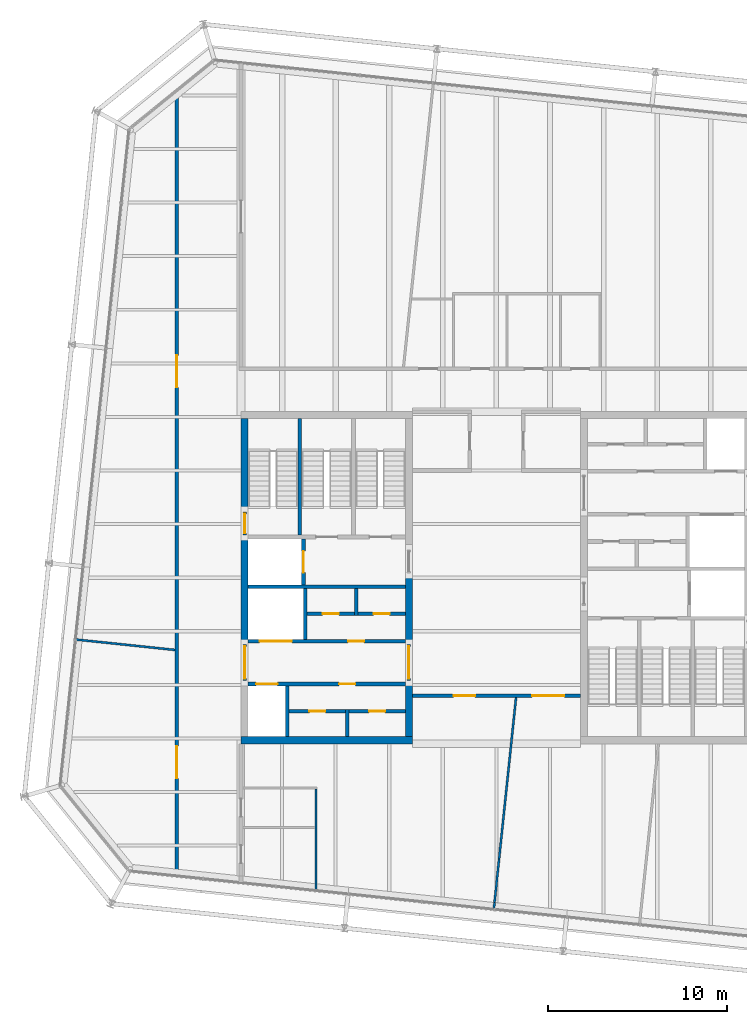
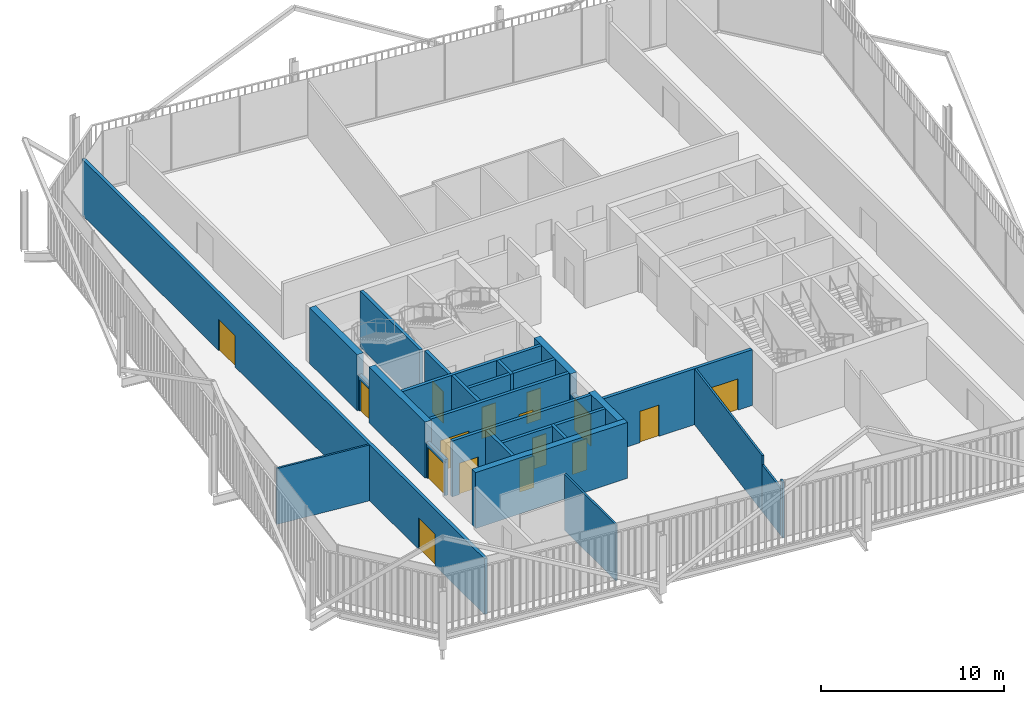
# One storey, part 17 of 21: 26 walls, 16 doors, 16 openings.
"""IFC4 building model written with IfcOpenShell, lengths in metres."""

import ifcopenshell
import ifcopenshell.guid

model = None  # the IFC model being written
_history = None  # IfcOwnerHistory: only IFC2X3 demands one
_inside = {}  # id of a spatial element -> (the spatial element, [elements in it])
_under = {}  # id of a project, library or spatial element -> (it, [spatial elements below it])
_declared = {}  # id of a project -> (the project, [libraries it declares])
_typed = {}  # id of a type object -> (the type object, [elements of that type])
_made_of = {}  # id of a material, layer set ... -> (it, [elements and type objects made of it])


def new_model(schema):
    """Start an empty IFC model of exactly this schema.

    Asked for "IFC4X3", IfcOpenShell would pick the latest addendum, in which some entities
    have other attributes; the version numbers below select the first issue.
    IFC2X3 requires an IfcOwnerHistory on every rooted entity: one is made here for all.
    """
    global model, _history
    if schema == "IFC4X3":
        model = ifcopenshell.file(schema_version=(4, 3, 0, 0))
    else:
        model = ifcopenshell.file(schema=schema)
    _inside.clear()
    _under.clear()
    _declared.clear()
    _typed.clear()
    _made_of.clear()
    _history = None
    if model.schema == "IFC2X3":
        org = make("IfcOrganization", Name="unknown")
        user = make(
            "IfcPersonAndOrganization",
            ThePerson=make("IfcPerson", FamilyName="unknown"),
            TheOrganization=org,
        )
        app = make(
            "IfcApplication",
            ApplicationDeveloper=org,
            Version="unknown",
            ApplicationFullName="unknown",
            ApplicationIdentifier="unknown",
        )
        _history = make(
            "IfcOwnerHistory",
            OwningUser=user,
            OwningApplication=app,
            ChangeAction="ADDED",
            CreationDate=0,
        )
    return model


def make(cls, **values):
    """One entity of the class cls with the attributes given. An attribute that is None is left unset."""
    return model.create_entity(
        cls, **{name: value for name, value in values.items() if value is not None}
    )


def rooted(cls, **values):
    """An entity with a GlobalId (a new one), such as an element, a storey or a relation."""
    return make(cls, GlobalId=ifcopenshell.guid.new(), OwnerHistory=_history, **values)


def si_unit(unit_type, name, prefix=None):
    """IfcSIUnit, for example si_unit("LENGTHUNIT", "METRE", prefix="MILLI")."""
    return make("IfcSIUnit", UnitType=unit_type, Prefix=prefix, Name=name)


def assignment(units):
    """IfcUnitAssignment: the units of a project."""
    return None if units is None else make("IfcUnitAssignment", Units=units)


def point(xyz):
    """IfcCartesianPoint."""
    return None if xyz is None else make("IfcCartesianPoint", Coordinates=xyz)


def direction(xyz):
    """IfcDirection."""
    return None if xyz is None else make("IfcDirection", DirectionRatios=xyz)


def frame(location, z_axis=None, x_axis=None):
    """IfcAxis2Placement3D, a coordinate frame: its origin and axes. An axis left out is left unset."""
    return make(
        "IfcAxis2Placement3D",
        Location=point(location),
        Axis=direction(z_axis),
        RefDirection=direction(x_axis),
    )


def frame_2d(location, x_axis=None):
    """IfcAxis2Placement2D, a coordinate frame in the plane: its origin and x axis."""
    return make(
        "IfcAxis2Placement2D", Location=point(location), RefDirection=direction(x_axis)
    )


def origin():
    """The frame at (0, 0, 0) with its axes left unset."""
    return frame((0.0, 0.0, 0.0))


def place(relative_to, where):
    """IfcLocalPlacement: puts the frame where relative to a parent placement (None: the world)."""
    return make(
        "IfcLocalPlacement", PlacementRelTo=relative_to, RelativePlacement=where
    )


def context(
    kind, dimensions, precision=None, world=None, true_north=None, identifier=None
):
    """IfcGeometricRepresentationContext, for example the 3D "Model" context."""
    return make(
        "IfcGeometricRepresentationContext",
        ContextIdentifier=identifier,
        ContextType=kind,
        CoordinateSpaceDimension=dimensions,
        Precision=precision,
        WorldCoordinateSystem=world,
        TrueNorth=true_north,
    )


def subcontext(parent, identifier, kind, view, scale=None):
    """IfcGeometricRepresentationSubContext, for example "Body" below "Model"."""
    return make(
        "IfcGeometricRepresentationSubContext",
        ContextIdentifier=identifier,
        ContextType=kind,
        ParentContext=parent,
        TargetScale=scale,
        TargetView=view,
    )


def project(units=None, contexts=None):
    """IfcProject with its units and contexts."""
    return rooted(
        "IfcProject",
        Name="project",
        RepresentationContexts=contexts,
        UnitsInContext=assignment(units),
    )


def spatial(cls, under=None, at=None, **own):
    """A site, building, storey or space (cls), placed at a placement, below another one or the project."""
    s = rooted(cls, ObjectPlacement=at, **own)
    if under is not None:
        _under.setdefault(under.id(), (under, []))[1].append(s)
    return s


def profile(cls, at=None, kind="AREA", **sizes):
    """A parametric profile (cls). Its sizes go by their IFC names, for example OverallWidth=200.0."""
    return make(cls, ProfileType=kind, Position=at, **sizes)


def rectangle(**sizes):
    """IfcRectangleProfileDef."""
    return profile("IfcRectangleProfileDef", **sizes)


def extrude(swept, where, along, depth):
    """IfcExtrudedAreaSolid: the profile swept, set in the frame where, extruded along a direction by depth."""
    return make(
        "IfcExtrudedAreaSolid",
        SweptArea=swept,
        Position=where,
        ExtrudedDirection=direction(along),
        Depth=depth,
    )


def shape(context_of_items, identifier, shape_type, items):
    """IfcShapeRepresentation: the items that make up one representation, for example the "Body"."""
    return make(
        "IfcShapeRepresentation",
        ContextOfItems=context_of_items,
        RepresentationIdentifier=identifier,
        RepresentationType=shape_type,
        Items=items,
    )


def material(Name=None, Category=None):
    """IfcMaterial."""
    return make("IfcMaterial", Name=Name, Category=Category)


def layer(
    of_material, thickness, ventilated=None, Name=None, Category=None, Priority=None
):
    """IfcMaterialLayer: one layer of a wall or slab, of a material (None: an air gap)."""
    return make(
        "IfcMaterialLayer",
        Material=of_material,
        LayerThickness=thickness,
        IsVentilated=ventilated,
        Name=Name,
        Category=Category,
        Priority=Priority,
    )


def layer_set(layers, Name=None):
    """IfcMaterialLayerSet."""
    return make("IfcMaterialLayerSet", MaterialLayers=layers, LayerSetName=Name)


def made_of(thing, what):
    """Note that an element or type object is made of a material, layer set ...; save() writes the relation."""
    if what is not None:
        _made_of.setdefault(what.id(), (what, []))[1].append(thing)
    return thing


def type_object(cls, material=None, **own):
    """A type object (cls), such as IfcWallType, which elements share."""
    return made_of(rooted(cls, **own), material)


def element(
    cls,
    number,
    at=None,
    inside=None,
    cuts=None,
    type_object=None,
    material=None,
    context=None,
    identifier="Body",
    shape_type=None,
    held_by="IfcProductDefinitionShape",
    body=None,
    shapes=None,
    **own,
):
    """One element of the class cls, such as IfcWall. Its Tag is "e" and its number.

    at: its placement. inside: the storey or other place that contains it. cuts: it is an
    opening in that element (IfcRelVoidsElement). A single representation is given by context,
    identifier, shape_type and body (its items); several are given by shapes. held_by: the class
    of the entity that holds the representations. save() writes the other relations.
    """
    e = rooted(cls, Tag="e%d" % number, ObjectPlacement=at, **own)
    if body is not None:
        shapes = [shape(context, identifier, shape_type, body)]
    if shapes is not None:
        e.Representation = make(held_by, Representations=shapes)
    if inside is not None:
        _inside.setdefault(inside.id(), (inside, []))[1].append(e)
    if cuts is not None:
        rooted(
            "IfcRelVoidsElement", RelatingBuildingElement=cuts, RelatedOpeningElement=e
        )
    if type_object is not None:
        _typed.setdefault(type_object.id(), (type_object, []))[1].append(e)
    return made_of(e, material)


def fill(opening, filler):
    """IfcRelFillsElement: the door or window that sits in an opening."""
    return rooted(
        "IfcRelFillsElement",
        RelatingOpeningElement=opening,
        RelatedBuildingElement=filler,
    )


def aggregate(whole, parts):
    """IfcRelAggregates: a whole, such as a stair, and the parts it consists of."""
    return rooted("IfcRelAggregates", RelatingObject=whole, RelatedObjects=parts)


def save(model, path):
    """Write the relations noted so far, then the file.

    IfcRelAggregates (storeys below a building ...), IfcRelContainedInSpatialStructure (elements
    in a storey), IfcRelDefinesByType, IfcRelAssociatesMaterial and IfcRelDeclares: one each for
    every whole, place, type object, material and project.
    """
    for whole, parts in _under.values():
        aggregate(whole, parts)
    for where, things in _inside.values():
        rooted(
            "IfcRelContainedInSpatialStructure",
            RelatedElements=things,
            RelatingStructure=where,
        )
    for kind, things in _typed.values():
        rooted("IfcRelDefinesByType", RelatedObjects=things, RelatingType=kind)
    for what, things in _made_of.values():
        rooted("IfcRelAssociatesMaterial", RelatedObjects=things, RelatingMaterial=what)
    for by, libraries in _declared.values():
        rooted("IfcRelDeclares", RelatingContext=by, RelatedDefinitions=libraries)
    model.write(path)


model = new_model("IFC4")

# Units and contexts
model_context = context("Model", 3, precision=1e-05, world=origin(), true_north=direction((0.0, 1.0)))
body_context = subcontext(model_context, "Body", "Model", "MODEL_VIEW")
ifc_project = project(units=[si_unit("LENGTHUNIT", "METRE"), si_unit("AREAUNIT", "SQUARE_METRE"), si_unit("VOLUMEUNIT", "CUBIC_METRE"), si_unit("PLANEANGLEUNIT", "RADIAN"), si_unit("MASSUNIT", "GRAM", prefix="KILO")], contexts=[model_context])

# Site, building, storey
site_placement = place(None, origin())
site = spatial("IfcSite", under=ifc_project, at=site_placement, CompositionType="ELEMENT")
building_placement = place(site_placement, origin())
building = spatial("IfcBuilding", under=site, at=building_placement, Name="Millrace Tower", CompositionType="ELEMENT")
storey_placement = place(building_placement, frame((0.0, 0.0, 326.5)))
storey = spatial("IfcBuildingStorey", under=building, at=storey_placement, Name="L75", CompositionType="ELEMENT", Elevation=326.5)

# Walls
ifc_material_1 = material(Name="Concrete C60", Category="concrete")
ifc_layer_1 = layer(ifc_material_1, 0.39990234375)
ifc_layer_set_1 = layer_set([ifc_layer_1], Name="Concrete C60")
wall_type_1 = type_object("IfcWallType", Name="Core wall 400 Concrete C60", PredefinedType="SHEAR", material=ifc_layer_set_1)
wall_1_placement = place(storey_placement, frame((-14.300048828125, -9.10009765625, 0.0), z_axis=(0.0, 0.0, 1.0), x_axis=(1.0, 0.0, 0.0)))
element("IfcWall", 1, at=wall_1_placement, inside=storey, type_object=wall_type_1, Name="Core wall W L75", PredefinedType="SHEAR", context=body_context, shape_type="SweptSolid", body=[
    extrude(rectangle(XDim=9.60009765625, YDim=0.39990234375, at=frame_2d((4.800048828125, 0.0))), origin(), (0.0, 0.0, 1.0), 3.739990234375),
])
wall_2_placement = place(storey_placement, frame((-14.10009765625, -3.75, 0.0), z_axis=(0.0, 0.0, 1.0), x_axis=(0.0, 1.0, 0.0)))
element("IfcWall", 2, at=wall_2_placement, inside=storey, type_object=wall_type_1, Name="Core wall W L75", PredefinedType="SHEAR", context=body_context, shape_type="SweptSolid", body=[
    extrude(rectangle(XDim=6.1298828125, YDim=0.39990234375, at=frame_2d((3.06494140625, 0.0))), origin(), (0.0, 0.0, 1.0), 3.739990234375),
])
wall_3_placement = place(storey_placement, frame((-14.10009765625, 3.679931640625, 0.0), z_axis=(0.0, 0.0, 1.0), x_axis=(0.0, 1.0, 0.0)))
element("IfcWall", 3, at=wall_3_placement, inside=storey, type_object=wall_type_1, Name="Core wall W L75", PredefinedType="SHEAR", context=body_context, shape_type="SweptSolid", body=[
    extrude(rectangle(XDim=5.219970703125, YDim=0.39990234375, at=frame_2d((2.60986328125, 0.0))), origin(), (0.0, 0.0, 1.0), 3.739990234375),
])
wall_4_placement = place(storey_placement, frame((-4.89990234375, -8.89990234375, 0.0), z_axis=(0.0, 0.0, 1.0), x_axis=(0.0, 1.0, 0.0)))
element("IfcWall", 4, at=wall_4_placement, inside=storey, type_object=wall_type_1, Name="Core wall W L75", PredefinedType="SHEAR", context=body_context, shape_type="SweptSolid", body=[
    extrude(rectangle(XDim=3.14990234375, YDim=0.39990234375, at=frame_2d((1.574951171875, 0.0))), origin(), (0.0, 0.0, 1.0), 3.739990234375),
])
wall_5_placement = place(storey_placement, frame((-4.89990234375, -3.75, 0.0), z_axis=(0.0, 0.0, 1.0), x_axis=(0.0, 1.0, 0.0)))
element("IfcWall", 5, at=wall_5_placement, inside=storey, type_object=wall_type_1, Name="Core wall W L75", PredefinedType="SHEAR", context=body_context, shape_type="SweptSolid", body=[
    extrude(rectangle(XDim=4.0, YDim=0.39990234375, at=frame_2d((2.0, 0.0))), origin(), (0.0, 0.0, 1.0), 3.739990234375),
])

# Wall, openings, doors
ifc_material_2 = material(Name="Masonry partition, fire-rated", Category="masonry")
ifc_layer_2 = layer(ifc_material_2, 0.199951171875)
ifc_layer_set_2 = layer_set([ifc_layer_2], Name="Masonry partition, fire-rated")
wall_type_2 = type_object("IfcWallType", Name="Corridor wall 200", PredefinedType="PARTITIONING", material=ifc_layer_set_2)
wall_6_placement = place(storey_placement, frame((-4.699951171875, -6.60009765625, 0.0), z_axis=(0.0, 0.0, 1.0), x_axis=(1.0, 0.0, 0.0)))
wall_6 = element("IfcWall", 6, at=wall_6_placement, inside=storey, type_object=wall_type_2, Name="Corridor wall L75", PredefinedType="PARTITIONING", context=body_context, shape_type="SweptSolid", body=[
    extrude(rectangle(XDim=9.39990234375, YDim=0.199951171875, at=frame_2d((4.699951171875, 0.0))), origin(), (0.0, 0.0, 1.0), 3.739990234375),
])
opening_1_placement = place(wall_6_placement, frame((2.304931640625, 0.0, 0.0)))
opening_1 = element("IfcOpeningElement", 7, at=opening_1_placement, cuts=wall_6, Name="Opening 75-P011", PredefinedType="OPENING", context=body_context, shape_type="SweptSolid", body=[
    extrude(rectangle(XDim=1.199951171875, YDim=2.10009765625, at=frame_2d((0.60009765625, 1.050048828125))), frame((0.0, 0.10986328125, 0.0), z_axis=(0.0, -1.0, 0.0), x_axis=(1.0, 0.0, 0.0)), (0.0, 0.0, 1.0), 0.219970703125),
])
opening_2_placement = place(wall_6_placement, frame((6.705078125, 0.0, 0.0)))
opening_2 = element("IfcOpeningElement", 8, at=opening_2_placement, cuts=wall_6, Name="Opening 75-P012", PredefinedType="OPENING", context=body_context, shape_type="SweptSolid", body=[
    extrude(rectangle(XDim=1.800048828125, YDim=2.10009765625, at=frame_2d((0.89990234375, 1.050048828125))), frame((0.0, 0.10986328125, 0.0), z_axis=(0.0, -1.0, 0.0), x_axis=(1.0, 0.0, 0.0)), (0.0, 0.0, 1.0), 0.219970703125),
])
ifc_material_3 = material(Name="Steel door set, fire-rated", Category="steel")
door_type_1 = type_object("IfcDoorType", Name="Corridor door 1200 x 2100", OperationType="SINGLE_SWING_LEFT", PredefinedType="DOOR", material=ifc_material_3)
door_1_placement = place(opening_1_placement, frame((1.199951171875, 0.0, 0.0), z_axis=(0.0, 0.0, 1.0), x_axis=(-1.0, 0.0, 0.0)))
door_1 = element("IfcDoor", 9, at=door_1_placement, inside=storey, type_object=door_type_1, Name="Door 75-P011", OperationType="SINGLE_SWING_RIGHT", OverallHeight=2.10009765625, OverallWidth=1.199951171875, PredefinedType="DOOR", context=body_context, shape_type="SweptSolid", body=[
    extrude(rectangle(XDim=1.199951171875, YDim=2.10009765625, at=frame_2d((0.60009765625, 1.050048828125))), frame((0.0, 0.02490234375, 0.0), z_axis=(0.0, -1.0, 0.0), x_axis=(1.0, 0.0, 0.0)), (0.0, 0.0, 1.0), 0.050048828125),
])
fill(opening_1, door_1)
ifc_material_4 = material(Name="Steel door set, fire-rated", Category="steel")
door_type_2 = type_object("IfcDoorType", Name="Corridor door 1800 x 2100", OperationType="DOUBLE_DOOR_SINGLE_SWING", PredefinedType="DOOR", material=ifc_material_4)
door_2_placement = place(opening_2_placement, frame((1.800048828125, 0.0, 0.0), z_axis=(0.0, 0.0, 1.0), x_axis=(-1.0, 0.0, 0.0)))
door_2 = element("IfcDoor", 10, at=door_2_placement, inside=storey, type_object=door_type_2, Name="Door 75-P012", OperationType="DOUBLE_DOOR_SINGLE_SWING", OverallHeight=2.10009765625, OverallWidth=1.800048828125, PredefinedType="DOOR", context=body_context, shape_type="SweptSolid", body=[
    extrude(rectangle(XDim=1.800048828125, YDim=2.10009765625, at=frame_2d((0.89990234375, 1.050048828125))), frame((0.0, 0.02490234375, 0.0), z_axis=(0.0, -1.0, 0.0), x_axis=(1.0, 0.0, 0.0)), (0.0, 0.0, 1.0), 0.050048828125),
])
fill(opening_2, door_2)

wall_7_placement = place(storey_placement, frame((-17.89990234375, -16.653076171875, 0.0), z_axis=(0.0, 0.0, 1.0), x_axis=(0.0, 1.0, 0.0)))
wall_7 = element("IfcWall", 11, at=wall_7_placement, inside=storey, type_object=wall_type_2, Name="Corridor wall L75", PredefinedType="PARTITIONING", context=body_context, shape_type="SweptSolid", body=[
    extrude(rectangle(XDim=44.071533203125, YDim=0.199951171875, at=frame_2d((22.03564453125, 0.0))), origin(), (0.0, 0.0, 1.0), 3.739990234375),
])
opening_3_placement = place(wall_7_placement, frame((5.424560546875, 0.0, 0.0)))
opening_3 = element("IfcOpeningElement", 12, at=opening_3_placement, cuts=wall_7, Name="Opening 75-P003", PredefinedType="OPENING", context=body_context, shape_type="SweptSolid", body=[
    extrude(rectangle(XDim=1.800048828125, YDim=2.10009765625, at=frame_2d((0.89990234375, 1.050048828125))), frame((0.0, 0.10986328125, 0.0), z_axis=(0.0, -1.0, 0.0), x_axis=(1.0, 0.0, 0.0)), (0.0, 0.0, 1.0), 0.219970703125),
])
opening_4_placement = place(wall_7_placement, frame((27.302978515625, 0.0, 0.0)))
opening_4 = element("IfcOpeningElement", 13, at=opening_4_placement, cuts=wall_7, Name="Opening 75-P004", PredefinedType="OPENING", context=body_context, shape_type="SweptSolid", body=[
    extrude(rectangle(XDim=1.800048828125, YDim=2.10009765625, at=frame_2d((0.89990234375, 1.050048828125))), frame((0.0, 0.10986328125, 0.0), z_axis=(0.0, -1.0, 0.0), x_axis=(1.0, 0.0, 0.0)), (0.0, 0.0, 1.0), 0.219970703125),
])
door_3_placement = place(opening_3_placement, origin())
door_3 = element("IfcDoor", 14, at=door_3_placement, inside=storey, type_object=door_type_2, Name="Door 75-P003", OperationType="DOUBLE_DOOR_SINGLE_SWING", OverallHeight=2.10009765625, OverallWidth=1.800048828125, PredefinedType="DOOR", context=body_context, shape_type="SweptSolid", body=[
    extrude(rectangle(XDim=1.800048828125, YDim=2.10009765625, at=frame_2d((0.89990234375, 1.050048828125))), frame((0.0, 0.02490234375, 0.0), z_axis=(0.0, -1.0, 0.0), x_axis=(1.0, 0.0, 0.0)), (0.0, 0.0, 1.0), 0.050048828125),
])
fill(opening_3, door_3)
door_4_placement = place(opening_4_placement, origin())
door_4 = element("IfcDoor", 15, at=door_4_placement, inside=storey, type_object=door_type_2, Name="Door 75-P004", OperationType="DOUBLE_DOOR_SINGLE_SWING", OverallHeight=2.10009765625, OverallWidth=1.800048828125, PredefinedType="DOOR", context=body_context, shape_type="SweptSolid", body=[
    extrude(rectangle(XDim=1.800048828125, YDim=2.10009765625, at=frame_2d((0.89990234375, 1.050048828125))), frame((0.0, 0.02490234375, 0.0), z_axis=(0.0, -1.0, 0.0), x_axis=(1.0, 0.0, 0.0)), (0.0, 0.0, 1.0), 0.050048828125),
])
fill(opening_4, door_4)

ifc_material_5 = material(Name="Masonry partition, fire-rated", Category="masonry")
ifc_layer_3 = layer(ifc_material_5, 0.199951171875)
ifc_layer_set_3 = layer_set([ifc_layer_3], Name="Masonry partition, fire-rated")
wall_type_3 = type_object("IfcWallType", Name="Lift shaft wall 200", PredefinedType="PARTITIONING", material=ifc_layer_set_3)
wall_8_placement = place(storey_placement, frame((-13.89990234375, -5.949951171875, 0.0), z_axis=(0.0, 0.0, 1.0), x_axis=(1.0, 0.0, 0.0)))
wall_8 = element("IfcWall", 16, at=wall_8_placement, inside=storey, type_object=wall_type_3, Name="Lift shaft wall W L75", PredefinedType="PARTITIONING", context=body_context, shape_type="SweptSolid", body=[
    extrude(rectangle(XDim=8.7998046875, YDim=0.199951171875, at=frame_2d((4.39990234375, 0.0))), origin(), (0.0, 0.0, 1.0), 3.739990234375),
])
opening_5_placement = place(wall_8_placement, frame((0.449951171875, 0.0, 0.0)))
opening_5 = element("IfcOpeningElement", 17, at=opening_5_placement, cuts=wall_8, Name="Opening 75-LD01", PredefinedType="OPENING", context=body_context, shape_type="SweptSolid", body=[
    extrude(rectangle(XDim=1.199951171875, YDim=2.10009765625, at=frame_2d((0.60009765625, 1.050048828125))), frame((0.0, 0.10986328125, 0.0), z_axis=(0.0, -1.0, 0.0), x_axis=(1.0, 0.0, 0.0)), (0.0, 0.0, 1.0), 0.219970703125),
])
opening_6_placement = place(wall_8_placement, frame((5.10009765625, 0.0, 0.0)))
opening_6 = element("IfcOpeningElement", 18, at=opening_6_placement, cuts=wall_8, Name="Opening 75-C005", PredefinedType="OPENING", context=body_context, shape_type="SweptSolid", body=[
    extrude(rectangle(XDim=0.89990234375, YDim=2.10009765625, at=frame_2d((0.449951171875, 1.050048828125))), frame((0.0, 0.10986328125, 0.0), z_axis=(0.0, -1.0, 0.0), x_axis=(1.0, 0.0, 0.0)), (0.0, 0.0, 1.0), 0.219970703125),
])
ifc_material_6 = material(Name="Stainless steel, fire-rated", Category="steel")
door_type_3 = type_object("IfcDoorType", Name="Lift landing door 1200 x 2100", OperationType="DOUBLE_DOOR_SLIDING", PredefinedType="DOOR", material=ifc_material_6)
door_5_placement = place(opening_5_placement, origin())
door_5 = element("IfcDoor", 19, at=door_5_placement, inside=storey, type_object=door_type_3, Name="Lift landing door LF1 L75", OperationType="DOUBLE_DOOR_SLIDING", OverallHeight=2.10009765625, OverallWidth=1.199951171875, PredefinedType="DOOR", context=body_context, shape_type="SweptSolid", body=[
    extrude(rectangle(XDim=1.199951171875, YDim=2.10009765625, at=frame_2d((0.60009765625, 1.050048828125))), frame((0.0, 0.02490234375, 0.0), z_axis=(0.0, -1.0, 0.0), x_axis=(1.0, 0.0, 0.0)), (0.0, 0.0, 1.0), 0.050048828125),
])
fill(opening_5, door_5)
ifc_material_7 = material(Name="Steel door, fire-rated", Category="steel")
door_type_4 = type_object("IfcDoorType", Name="Service room door 900 x 2100", OperationType="SINGLE_SWING_LEFT", PredefinedType="DOOR", material=ifc_material_7)
door_6_placement = place(opening_6_placement, origin())
door_6 = element("IfcDoor", 20, at=door_6_placement, inside=storey, type_object=door_type_4, Name="Service room door 75-C005", OperationType="SINGLE_SWING_RIGHT", OverallHeight=2.10009765625, OverallWidth=0.89990234375, PredefinedType="DOOR", context=body_context, shape_type="SweptSolid", body=[
    extrude(rectangle(XDim=0.89990234375, YDim=2.10009765625, at=frame_2d((0.449951171875, 1.050048828125))), frame((0.0, 0.02490234375, 0.0), z_axis=(0.0, -1.0, 0.0), x_axis=(1.0, 0.0, 0.0)), (0.0, 0.0, 1.0), 0.050048828125),
])
fill(opening_6, door_6)

wall_9_placement = place(storey_placement, frame((-13.89990234375, -3.550048828125, 0.0), z_axis=(0.0, 0.0, 1.0), x_axis=(1.0, 0.0, 0.0)))
wall_9 = element("IfcWall", 21, at=wall_9_placement, inside=storey, type_object=wall_type_3, Name="Lift shaft wall W L75", PredefinedType="PARTITIONING", context=body_context, shape_type="SweptSolid", body=[
    extrude(rectangle(XDim=8.7998046875, YDim=0.199951171875, at=frame_2d((4.39990234375, 0.0))), origin(), (0.0, 0.0, 1.0), 3.739990234375),
])
opening_7_placement = place(wall_9_placement, frame((0.64990234375, 0.0, 0.0)))
opening_7 = element("IfcOpeningElement", 22, at=opening_7_placement, cuts=wall_9, Name="Opening 75-LD05", PredefinedType="OPENING", context=body_context, shape_type="SweptSolid", body=[
    extrude(rectangle(XDim=1.800048828125, YDim=2.10009765625, at=frame_2d((0.89990234375, 1.050048828125))), frame((0.0, 0.10986328125, 0.0), z_axis=(0.0, -1.0, 0.0), x_axis=(1.0, 0.0, 0.0)), (0.0, 0.0, 1.0), 0.219970703125),
])
opening_8_placement = place(wall_9_placement, frame((5.60009765625, 0.0, 0.0)))
opening_8 = element("IfcOpeningElement", 23, at=opening_8_placement, cuts=wall_9, Name="Opening 75-C008", PredefinedType="OPENING", context=body_context, shape_type="SweptSolid", body=[
    extrude(rectangle(XDim=0.89990234375, YDim=2.10009765625, at=frame_2d((0.449951171875, 1.050048828125))), frame((0.0, 0.10986328125, 0.0), z_axis=(0.0, -1.0, 0.0), x_axis=(1.0, 0.0, 0.0)), (0.0, 0.0, 1.0), 0.219970703125),
])
ifc_material_8 = material(Name="Stainless steel, fire-rated", Category="steel")
door_type_5 = type_object("IfcDoorType", Name="Lift landing door 1800 x 2100", OperationType="DOUBLE_DOOR_SLIDING", PredefinedType="DOOR", material=ifc_material_8)
door_7_placement = place(opening_7_placement, origin())
door_7 = element("IfcDoor", 24, at=door_7_placement, inside=storey, type_object=door_type_5, Name="Lift landing door LF5 L75", OperationType="DOUBLE_DOOR_SLIDING", OverallHeight=2.10009765625, OverallWidth=1.800048828125, PredefinedType="DOOR", context=body_context, shape_type="SweptSolid", body=[
    extrude(rectangle(XDim=1.800048828125, YDim=2.10009765625, at=frame_2d((0.89990234375, 1.050048828125))), frame((0.0, 0.02490234375, 0.0), z_axis=(0.0, -1.0, 0.0), x_axis=(1.0, 0.0, 0.0)), (0.0, 0.0, 1.0), 0.050048828125),
])
fill(opening_7, door_7)
door_8_placement = place(opening_8_placement, frame((0.89990234375, 0.0, 0.0), z_axis=(0.0, 0.0, 1.0), x_axis=(-1.0, 0.0, 0.0)))
door_8 = element("IfcDoor", 25, at=door_8_placement, inside=storey, type_object=door_type_4, Name="Service room door 75-C008", OperationType="SINGLE_SWING_LEFT", OverallHeight=2.10009765625, OverallWidth=0.89990234375, PredefinedType="DOOR", context=body_context, shape_type="SweptSolid", body=[
    extrude(rectangle(XDim=0.89990234375, YDim=2.10009765625, at=frame_2d((0.449951171875, 1.050048828125))), frame((0.0, 0.02490234375, 0.0), z_axis=(0.0, -1.0, 0.0), x_axis=(1.0, 0.0, 0.0)), (0.0, 0.0, 1.0), 0.050048828125),
])
fill(opening_8, door_8)

# Wall
wall_10_placement = place(storey_placement, frame((-13.89990234375, -0.5, 0.0), z_axis=(0.0, 0.0, 1.0), x_axis=(1.0, 0.0, 0.0)))
element("IfcWall", 26, at=wall_10_placement, inside=storey, type_object=wall_type_3, Name="Lift shaft wall W L75", PredefinedType="PARTITIONING", context=body_context, shape_type="SweptSolid", body=[
    extrude(rectangle(XDim=8.7998046875, YDim=0.199951171875, at=frame_2d((4.39990234375, 0.0))), origin(), (0.0, 0.0, 1.0), 3.739990234375),
])

# Wall, opening, door
wall_11_placement = place(storey_placement, frame((-10.800048828125, -0.39990234375, 0.0), z_axis=(0.0, 0.0, 1.0), x_axis=(0.0, 1.0, 0.0)))
wall_11 = element("IfcWall", 27, at=wall_11_placement, inside=storey, type_object=wall_type_3, Name="Lift shaft wall W L75", PredefinedType="PARTITIONING", context=body_context, shape_type="SweptSolid", body=[
    extrude(rectangle(XDim=2.579833984375, YDim=0.199951171875, at=frame_2d((1.2900390625, 0.0))), origin(), (0.0, 0.0, 1.0), 3.739990234375),
])
opening_9_placement = place(wall_11_placement, frame((0.68994140625, 0.0, 0.0)))
opening_9 = element("IfcOpeningElement", 28, at=opening_9_placement, cuts=wall_11, Name="Opening 75-LD08", PredefinedType="OPENING", context=body_context, shape_type="SweptSolid", body=[
    extrude(rectangle(XDim=1.199951171875, YDim=2.10009765625, at=frame_2d((0.60009765625, 1.050048828125))), frame((0.0, 0.10986328125, 0.0), z_axis=(0.0, -1.0, 0.0), x_axis=(1.0, 0.0, 0.0)), (0.0, 0.0, 1.0), 0.219970703125),
])
door_9_placement = place(opening_9_placement, origin())
door_9 = element("IfcDoor", 29, at=door_9_placement, inside=storey, type_object=door_type_3, Name="Lift landing door LF8 L75", OperationType="DOUBLE_DOOR_SLIDING", OverallHeight=2.10009765625, OverallWidth=1.199951171875, PredefinedType="DOOR", context=body_context, shape_type="SweptSolid", body=[
    extrude(rectangle(XDim=1.199951171875, YDim=2.10009765625, at=frame_2d((0.60009765625, 1.050048828125))), frame((0.0, 0.02490234375, 0.0), z_axis=(0.0, -1.0, 0.0), x_axis=(1.0, 0.0, 0.0)), (0.0, 0.0, 1.0), 0.050048828125),
])
fill(opening_9, door_9)

# Walls
for number, where, z_axis, x_axis, name in (
    (30, (-11.699951171875, -8.89990234375, 0.0), (0.0, 0.0, 1.0), (0.0, 1.0, 0.0), "Lift shaft wall W L75"),
    (31, (-10.699951171875, -3.449951171875, 0.0), (0.0, 0.0, 1.0), (0.0, 1.0, 0.0), "Lift shaft wall W L75"),
):
    element("IfcWall", number, at=place(storey_placement, frame(where, z_axis=z_axis, x_axis=x_axis)), inside=storey, type_object=wall_type_3, Name=name, PredefinedType="PARTITIONING", context=body_context, shape_type="SweptSolid", body=[
        extrude(rectangle(XDim=2.849853515625, YDim=0.199951171875, at=frame_2d((1.4248046875, 0.0))), origin(), (0.0, 0.0, 1.0), 3.739990234375),
    ])

# Wall, opening, door
ifc_material_9 = material(Name="Masonry partition, fire-rated", Category="masonry")
ifc_layer_4 = layer(ifc_material_9, 0.199951171875)
ifc_layer_set_4 = layer_set([ifc_layer_4], Name="Masonry partition, fire-rated")
wall_type_4 = type_object("IfcWallType", Name="Lobby wall 200", PredefinedType="PARTITIONING", material=ifc_layer_set_4)
wall_12_placement = place(storey_placement, frame((-14.10009765625, -5.75, 0.0), z_axis=(0.0, 0.0, 1.0), x_axis=(0.0, 1.0, 0.0)))
wall_12 = element("IfcWall", 32, at=wall_12_placement, inside=storey, type_object=wall_type_4, Name="Lobby wall W L75", PredefinedType="PARTITIONING", context=body_context, shape_type="SweptSolid", body=[
    extrude(rectangle(XDim=2.0, YDim=0.199951171875, at=frame_2d((1.0, 0.0))), origin(), (0.0, 0.0, 1.0), 2.39990234375),
])
opening_10_placement = place(wall_12_placement, frame((0.10009765625, 0.0, 0.0)))
opening_10 = element("IfcOpeningElement", 33, at=opening_10_placement, cuts=wall_12, Name="Opening 75-C001", PredefinedType="OPENING", context=body_context, shape_type="SweptSolid", body=[
    extrude(rectangle(XDim=1.800048828125, YDim=2.10009765625, at=frame_2d((0.89990234375, 1.050048828125))), frame((0.0, 0.10986328125, 0.0), z_axis=(0.0, -1.0, 0.0), x_axis=(1.0, 0.0, 0.0)), (0.0, 0.0, 1.0), 0.219970703125),
])
ifc_material_10 = material(Name="Steel door, fire-rated", Category="steel")
door_type_6 = type_object("IfcDoorType", Name="Lobby door 1800 x 2100", OperationType="DOUBLE_DOOR_SINGLE_SWING", PredefinedType="DOOR", material=ifc_material_10)
door_10_placement = place(opening_10_placement, origin())
door_10 = element("IfcDoor", 34, at=door_10_placement, inside=storey, type_object=door_type_6, Name="Lobby door 75-C001", OperationType="DOUBLE_DOOR_SINGLE_SWING", OverallHeight=2.10009765625, OverallWidth=1.800048828125, PredefinedType="DOOR", context=body_context, shape_type="SweptSolid", body=[
    extrude(rectangle(XDim=1.800048828125, YDim=2.10009765625, at=frame_2d((0.89990234375, 1.050048828125))), frame((0.0, 0.02490234375, 0.0), z_axis=(0.0, -1.0, 0.0), x_axis=(1.0, 0.0, 0.0)), (0.0, 0.0, 1.0), 0.050048828125),
])
fill(opening_10, door_10)

wall_13_placement = place(storey_placement, frame((-4.89990234375, -5.75, 0.0), z_axis=(0.0, 0.0, 1.0), x_axis=(0.0, 1.0, 0.0)))
wall_13 = element("IfcWall", 35, at=wall_13_placement, inside=storey, type_object=wall_type_4, Name="Lobby wall W L75", PredefinedType="PARTITIONING", context=body_context, shape_type="SweptSolid", body=[
    extrude(rectangle(XDim=2.0, YDim=0.199951171875, at=frame_2d((1.0, 0.0))), origin(), (0.0, 0.0, 1.0), 2.39990234375),
])
opening_11_placement = place(wall_13_placement, frame((0.10009765625, 0.0, 0.0)))
opening_11 = element("IfcOpeningElement", 36, at=opening_11_placement, cuts=wall_13, Name="Opening 75-C003", PredefinedType="OPENING", context=body_context, shape_type="SweptSolid", body=[
    extrude(rectangle(XDim=1.800048828125, YDim=2.10009765625, at=frame_2d((0.89990234375, 1.050048828125))), frame((0.0, 0.10986328125, 0.0), z_axis=(0.0, -1.0, 0.0), x_axis=(1.0, 0.0, 0.0)), (0.0, 0.0, 1.0), 0.219970703125),
])
door_11_placement = place(opening_11_placement, frame((1.800048828125, 0.0, 0.0), z_axis=(0.0, 0.0, 1.0), x_axis=(-1.0, 0.0, 0.0)))
door_11 = element("IfcDoor", 37, at=door_11_placement, inside=storey, type_object=door_type_6, Name="Lobby door 75-C003", OperationType="DOUBLE_DOOR_SINGLE_SWING", OverallHeight=2.10009765625, OverallWidth=1.800048828125, PredefinedType="DOOR", context=body_context, shape_type="SweptSolid", body=[
    extrude(rectangle(XDim=1.800048828125, YDim=2.10009765625, at=frame_2d((0.89990234375, 1.050048828125))), frame((0.0, 0.02490234375, 0.0), z_axis=(0.0, -1.0, 0.0), x_axis=(1.0, 0.0, 0.0)), (0.0, 0.0, 1.0), 0.050048828125),
])
fill(opening_11, door_11)

# Walls
ifc_material_11 = material(Name="Gypsum board partition")
ifc_layer_5 = layer(ifc_material_11, 0.1201171875)
ifc_layer_set_5 = layer_set([ifc_layer_5], Name="Gypsum board partition")
wall_type_5 = type_object("IfcWallType", Name="Partition wall 120", PredefinedType="PARTITIONING", material=ifc_layer_set_5)
wall_14_placement = place(storey_placement, frame((-23.526611328125, -3.462890625, 0.0), z_axis=(0.0, 0.0, 1.0), x_axis=(0.994528537012, -0.104465252927, 0.0)))
element("IfcWall", 38, at=wall_14_placement, inside=storey, type_object=wall_type_5, Name="Partition wall L75", PredefinedType="PARTITIONING", context=body_context, shape_type="SweptSolid", body=[
    extrude(rectangle(XDim=5.5576171875, YDim=0.1201171875, at=frame_2d((2.77880859375, 0.0))), origin(), (0.0, 0.0, 1.0), 3.739990234375),
])
wall_15_placement = place(storey_placement, frame((-0.14208984375, -18.51953125, 0.0), z_axis=(0.0, 0.0, 1.0), x_axis=(0.104219761224, 0.994554292822, 0.0)))
element("IfcWall", 39, at=wall_15_placement, inside=storey, type_object=wall_type_5, Name="Partition wall L75", PredefinedType="PARTITIONING", context=body_context, shape_type="SweptSolid", body=[
    extrude(rectangle(XDim=0.327880859375, YDim=0.1201171875, at=frame_2d((0.1640625, 0.0))), origin(), (0.0, 0.0, 1.0), 3.739990234375),
])
wall_16_placement = place(storey_placement, frame((-0.10791015625, -18.193359375, 0.0), z_axis=(0.0, 0.0, 1.0), x_axis=(0.104462304408, 0.99452884672, 0.0)))
element("IfcWall", 40, at=wall_16_placement, inside=storey, type_object=wall_type_5, Name="Partition wall L75", PredefinedType="PARTITIONING", context=body_context, shape_type="SweptSolid", body=[
    extrude(rectangle(XDim=2.456298828125, YDim=0.1201171875, at=frame_2d((1.22802734375, 0.0))), origin(), (0.0, 0.0, 1.0), 3.140625),
])
wall_17_placement = place(storey_placement, frame((0.148681640625, -15.75048828125, 0.0), z_axis=(0.0, 0.0, 1.0), x_axis=(0.104487885815, 0.994526159393, 0.0)))
element("IfcWall", 41, at=wall_17_placement, inside=storey, type_object=wall_type_5, Name="Partition wall L75", PredefinedType="PARTITIONING", context=body_context, shape_type="SweptSolid", body=[
    extrude(rectangle(XDim=9.100830078125, YDim=0.1201171875, at=frame_2d((4.55029296875, 0.0))), origin(), (0.0, 0.0, 1.0), 3.739990234375),
])
wall_18_placement = place(storey_placement, frame((-10.10009765625, -17.472900390625, 0.0), z_axis=(0.0, 0.0, 1.0), x_axis=(0.0, 1.0, 0.0)))
element("IfcWall", 42, at=wall_18_placement, inside=storey, type_object=wall_type_5, Name="Partition wall L75", PredefinedType="PARTITIONING", context=body_context, shape_type="SweptSolid", body=[
    extrude(rectangle(XDim=5.6318359375, YDim=0.1201171875, at=frame_2d((2.81591796875, 0.0))), origin(), (0.0, 0.0, 1.0), 3.739990234375),
])

# Wall, openings, doors
ifc_material_12 = material(Name="Masonry partition, fire-rated", Category="masonry")
ifc_layer_6 = layer(ifc_material_12, 0.199951171875)
ifc_layer_set_6 = layer_set([ifc_layer_6], Name="Masonry partition, fire-rated")
wall_type_6 = type_object("IfcWallType", Name="Room partition 200", PredefinedType="PARTITIONING", material=ifc_layer_set_6)
wall_19_placement = place(storey_placement, frame((-11.60009765625, -7.47509765625, 0.0), z_axis=(0.0, 0.0, 1.0), x_axis=(1.0, 0.0, 0.0)))
wall_19 = element("IfcWall", 43, at=wall_19_placement, inside=storey, type_object=wall_type_6, Name="Room partition W L75", PredefinedType="PARTITIONING", context=body_context, shape_type="SweptSolid", body=[
    extrude(rectangle(XDim=6.5, YDim=0.199951171875, at=frame_2d((3.25, 0.0))), origin(), (0.0, 0.0, 1.0), 3.739990234375),
])
opening_12_placement = place(wall_19_placement, frame((1.125, 0.0, 0.0)))
opening_12 = element("IfcOpeningElement", 44, at=opening_12_placement, cuts=wall_19, Name="Opening 75-C006", PredefinedType="OPENING", context=body_context, shape_type="SweptSolid", body=[
    extrude(rectangle(XDim=0.89990234375, YDim=2.10009765625, at=frame_2d((0.449951171875, 1.050048828125))), frame((0.0, 0.10986328125, 0.0), z_axis=(0.0, -1.0, 0.0), x_axis=(1.0, 0.0, 0.0)), (0.0, 0.0, 1.0), 0.219970703125),
])
opening_13_placement = place(wall_19_placement, frame((4.47509765625, 0.0, 0.0)))
opening_13 = element("IfcOpeningElement", 45, at=opening_13_placement, cuts=wall_19, Name="Opening 75-C007", PredefinedType="OPENING", context=body_context, shape_type="SweptSolid", body=[
    extrude(rectangle(XDim=0.89990234375, YDim=2.10009765625, at=frame_2d((0.449951171875, 1.050048828125))), frame((0.0, 0.10986328125, 0.0), z_axis=(0.0, -1.0, 0.0), x_axis=(1.0, 0.0, 0.0)), (0.0, 0.0, 1.0), 0.219970703125),
])
door_12_placement = place(opening_12_placement, frame((0.89990234375, 0.0, 0.0), z_axis=(0.0, 0.0, 1.0), x_axis=(-1.0, 0.0, 0.0)))
door_12 = element("IfcDoor", 46, at=door_12_placement, inside=storey, type_object=door_type_4, Name="Service room door 75-C006", OperationType="SINGLE_SWING_RIGHT", OverallHeight=2.10009765625, OverallWidth=0.89990234375, PredefinedType="DOOR", context=body_context, shape_type="SweptSolid", body=[
    extrude(rectangle(XDim=0.89990234375, YDim=2.10009765625, at=frame_2d((0.449951171875, 1.050048828125))), frame((0.0, 0.02490234375, 0.0), z_axis=(0.0, -1.0, 0.0), x_axis=(1.0, 0.0, 0.0)), (0.0, 0.0, 1.0), 0.050048828125),
])
fill(opening_12, door_12)
door_13_placement = place(opening_13_placement, frame((0.89990234375, 0.0, 0.0), z_axis=(0.0, 0.0, 1.0), x_axis=(-1.0, 0.0, 0.0)))
door_13 = element("IfcDoor", 47, at=door_13_placement, inside=storey, type_object=door_type_4, Name="Service room door 75-C007", OperationType="SINGLE_SWING_LEFT", OverallHeight=2.10009765625, OverallWidth=0.89990234375, PredefinedType="DOOR", context=body_context, shape_type="SweptSolid", body=[
    extrude(rectangle(XDim=0.89990234375, YDim=2.10009765625, at=frame_2d((0.449951171875, 1.050048828125))), frame((0.0, 0.02490234375, 0.0), z_axis=(0.0, -1.0, 0.0), x_axis=(1.0, 0.0, 0.0)), (0.0, 0.0, 1.0), 0.050048828125),
])
fill(opening_13, door_13)

# Wall
wall_20_placement = place(storey_placement, frame((-8.35009765625, -8.89990234375, 0.0), z_axis=(0.0, 0.0, 1.0), x_axis=(0.0, 1.0, 0.0)))
element("IfcWall", 48, at=wall_20_placement, inside=storey, type_object=wall_type_6, Name="Room partition W L75", PredefinedType="PARTITIONING", context=body_context, shape_type="SweptSolid", body=[
    extrude(rectangle(XDim=1.52490234375, YDim=0.199951171875, at=frame_2d((0.762451171875, 0.0))), origin(), (0.0, 0.0, 1.0), 3.739990234375),
])

# Wall, openings, doors
wall_21_placement = place(storey_placement, frame((-10.60009765625, -2.02490234375, 0.0), z_axis=(0.0, 0.0, 1.0), x_axis=(1.0, 0.0, 0.0)))
wall_21 = element("IfcWall", 49, at=wall_21_placement, inside=storey, type_object=wall_type_6, Name="Room partition W L75", PredefinedType="PARTITIONING", context=body_context, shape_type="SweptSolid", body=[
    extrude(rectangle(XDim=5.5, YDim=0.199951171875, at=frame_2d((2.75, 0.0))), origin(), (0.0, 0.0, 1.0), 3.739990234375),
])
opening_14_placement = place(wall_21_placement, frame((0.875, 0.0, 0.0)))
opening_14 = element("IfcOpeningElement", 50, at=opening_14_placement, cuts=wall_21, Name="Opening 75-C009", PredefinedType="OPENING", context=body_context, shape_type="SweptSolid", body=[
    extrude(rectangle(XDim=0.89990234375, YDim=2.10009765625, at=frame_2d((0.449951171875, 1.050048828125))), frame((0.0, 0.10986328125, 0.0), z_axis=(0.0, -1.0, 0.0), x_axis=(1.0, 0.0, 0.0)), (0.0, 0.0, 1.0), 0.219970703125),
])
opening_15_placement = place(wall_21_placement, frame((3.72509765625, 0.0, 0.0)))
opening_15 = element("IfcOpeningElement", 51, at=opening_15_placement, cuts=wall_21, Name="Opening 75-C010", PredefinedType="OPENING", context=body_context, shape_type="SweptSolid", body=[
    extrude(rectangle(XDim=0.89990234375, YDim=2.10009765625, at=frame_2d((0.449951171875, 1.050048828125))), frame((0.0, 0.10986328125, 0.0), z_axis=(0.0, -1.0, 0.0), x_axis=(1.0, 0.0, 0.0)), (0.0, 0.0, 1.0), 0.219970703125),
])
door_14_placement = place(opening_14_placement, origin())
door_14 = element("IfcDoor", 52, at=door_14_placement, inside=storey, type_object=door_type_4, Name="Service room door 75-C009", OperationType="SINGLE_SWING_LEFT", OverallHeight=2.10009765625, OverallWidth=0.89990234375, PredefinedType="DOOR", context=body_context, shape_type="SweptSolid", body=[
    extrude(rectangle(XDim=0.89990234375, YDim=2.10009765625, at=frame_2d((0.449951171875, 1.050048828125))), frame((0.0, 0.02490234375, 0.0), z_axis=(0.0, -1.0, 0.0), x_axis=(1.0, 0.0, 0.0)), (0.0, 0.0, 1.0), 0.050048828125),
])
fill(opening_14, door_14)
door_15_placement = place(opening_15_placement, origin())
door_15 = element("IfcDoor", 53, at=door_15_placement, inside=storey, type_object=door_type_4, Name="Service room door 75-C010", OperationType="SINGLE_SWING_RIGHT", OverallHeight=2.10009765625, OverallWidth=0.89990234375, PredefinedType="DOOR", context=body_context, shape_type="SweptSolid", body=[
    extrude(rectangle(XDim=0.89990234375, YDim=2.10009765625, at=frame_2d((0.449951171875, 1.050048828125))), frame((0.0, 0.02490234375, 0.0), z_axis=(0.0, -1.0, 0.0), x_axis=(1.0, 0.0, 0.0)), (0.0, 0.0, 1.0), 0.050048828125),
])
fill(opening_15, door_15)

# Wall
wall_22_placement = place(storey_placement, frame((-7.85009765625, -2.125, 0.0), z_axis=(0.0, 0.0, 1.0), x_axis=(0.0, 1.0, 0.0)))
element("IfcWall", 54, at=wall_22_placement, inside=storey, type_object=wall_type_6, Name="Room partition W L75", PredefinedType="PARTITIONING", context=body_context, shape_type="SweptSolid", body=[
    extrude(rectangle(XDim=1.52490234375, YDim=0.199951171875, at=frame_2d((0.762451171875, 0.0))), origin(), (0.0, 0.0, 1.0), 3.739990234375),
])

# Wall, opening, door
ifc_material_13 = material(Name="Concrete C40", Category="concrete")
ifc_layer_7 = layer(ifc_material_13, 0.199951171875)
ifc_layer_set_7 = layer_set([ifc_layer_7], Name="Concrete C40")
wall_type_7 = type_object("IfcWallType", Name="Stair enclosure wall 200 Concrete C40", PredefinedType="SHEAR", material=ifc_layer_set_7)
wall_23_placement = place(storey_placement, frame((-14.10009765625, 2.3798828125, 0.0), z_axis=(0.0, 0.0, 1.0), x_axis=(0.0, 1.0, 0.0)))
wall_23 = element("IfcWall", 55, at=wall_23_placement, inside=storey, type_object=wall_type_7, Name="Stair enclosure wall W L75", PredefinedType="SHEAR", context=body_context, shape_type="SweptSolid", body=[
    extrude(rectangle(XDim=1.300048828125, YDim=0.199951171875, at=frame_2d((0.64990234375, 0.0))), origin(), (0.0, 0.0, 1.0), 2.39990234375),
])
opening_16_placement = place(wall_23_placement, frame((0.10009765625, 0.0, 0.0)))
opening_16 = element("IfcOpeningElement", 56, at=opening_16_placement, cuts=wall_23, Name="Opening 75-C002", PredefinedType="OPENING", context=body_context, shape_type="SweptSolid", body=[
    extrude(rectangle(XDim=1.10009765625, YDim=2.10009765625, at=frame_2d((0.550048828125, 1.050048828125))), frame((0.0, 0.10986328125, 0.0), z_axis=(0.0, -1.0, 0.0), x_axis=(1.0, 0.0, 0.0)), (0.0, 0.0, 1.0), 0.219970703125),
])
ifc_material_14 = material(Name="Steel door, fire-rated", Category="steel")
door_type_7 = type_object("IfcDoorType", Name="Stair door 1100 x 2100", OperationType="SINGLE_SWING_LEFT", PredefinedType="DOOR", material=ifc_material_14)
door_16_placement = place(opening_16_placement, origin())
door_16 = element("IfcDoor", 57, at=door_16_placement, inside=storey, type_object=door_type_7, Name="Stair door 75-C002", OperationType="SINGLE_SWING_LEFT", OverallHeight=2.10009765625, OverallWidth=1.10009765625, PredefinedType="DOOR", context=body_context, shape_type="SweptSolid", body=[
    extrude(rectangle(XDim=1.10009765625, YDim=2.10009765625, at=frame_2d((0.550048828125, 1.050048828125))), frame((0.0, 0.02490234375, 0.0), z_axis=(0.0, -1.0, 0.0), x_axis=(1.0, 0.0, 0.0)), (0.0, 0.0, 1.0), 0.050048828125),
])
fill(opening_16, door_16)

# Wall
wall_24_placement = place(storey_placement, frame((-11.0, 2.3798828125, 0.0), z_axis=(0.0, 0.0, 1.0), x_axis=(0.0, 1.0, 0.0)))
element("IfcWall", 58, at=wall_24_placement, inside=storey, type_object=wall_type_7, Name="Stair enclosure wall W L75", PredefinedType="SHEAR", context=body_context, shape_type="SweptSolid", body=[
    extrude(rectangle(XDim=6.52001953125, YDim=0.199951171875, at=frame_2d((3.260009765625, 0.0))), origin(), (0.0, 0.0, 1.0), 3.739990234375),
])

save(model, "model.ifc")
